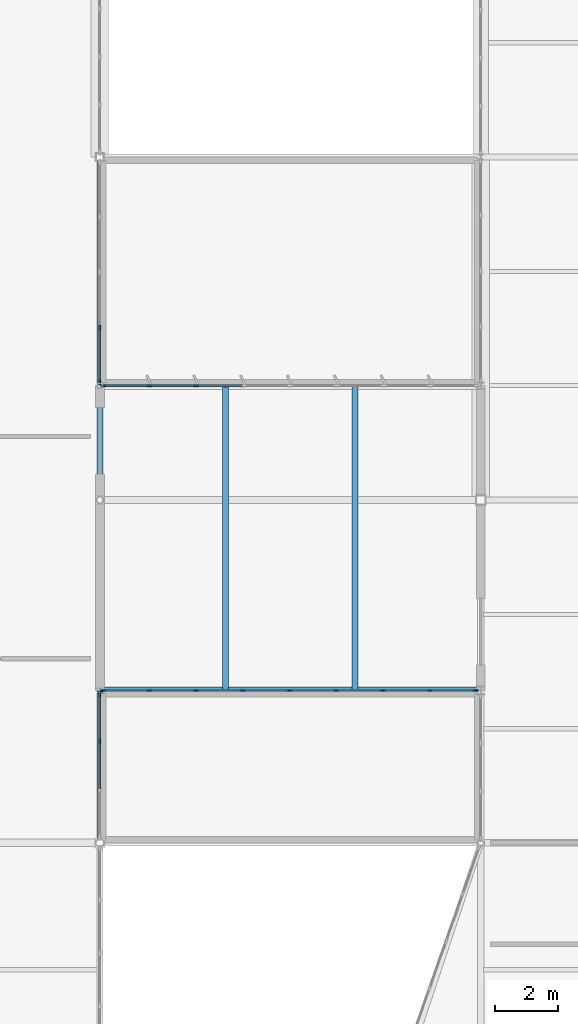
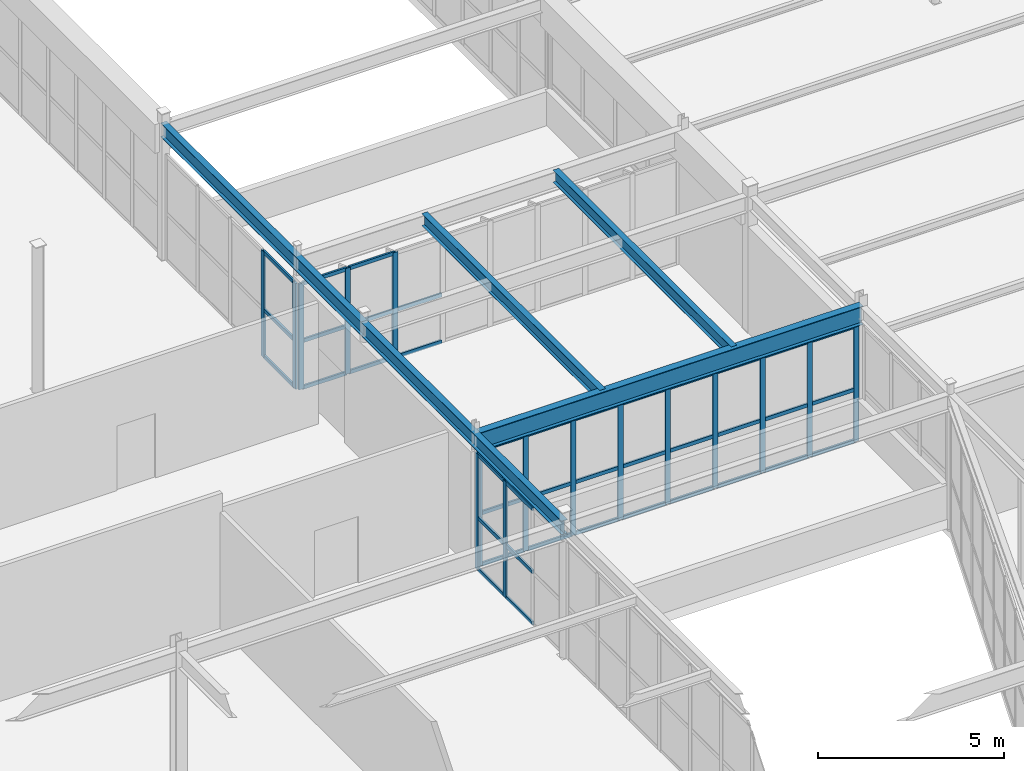
# One storey, part 125 of 226: 57 members, 5 beams, 4 elements without a shape of their own.
"""IFC4 building model written with IfcOpenShell, lengths in metres."""

from ifc_helpers import new_model, si_unit, direction, frame, origin, origin_2d, place, context, subcontext, project, spatial, rectangle, i_section, extrude, material, layer, layer_set, material_profile, profile_set, type_object, element, aggregate, save


model = new_model("IFC4")

# Units and contexts
model_context = context("Model", 3, precision=1e-05, world=origin(), true_north=direction((0.0, 1.0)))
body_context = subcontext(model_context, "Body", "Model", "MODEL_VIEW")
ifc_project = project(units=[si_unit("LENGTHUNIT", "METRE"), si_unit("AREAUNIT", "SQUARE_METRE"), si_unit("VOLUMEUNIT", "CUBIC_METRE"), si_unit("PLANEANGLEUNIT", "RADIAN"), si_unit("MASSUNIT", "GRAM", prefix="KILO")], contexts=[model_context])

# Site, building, storey
site_placement = place(None, origin())
site = spatial("IfcSite", under=ifc_project, at=site_placement, CompositionType="ELEMENT")
building_placement = place(site_placement, origin())
building = spatial("IfcBuilding", under=site, at=building_placement, Name="Tarnwether General Hospital", CompositionType="ELEMENT")
storey_placement = place(building_placement, frame((0.0, 0.0, 4.800048828125)))
storey = spatial("IfcBuildingStorey", under=building, at=storey_placement, Name="L01", CompositionType="ELEMENT", Elevation=4.800048828125)

# Beams
ifc_material_1 = material(Name="Steel Grade 350 (350 MPa)", Category="steel")
ifc_material_profile_1 = material_profile(ifc_material_1, i_section(OverallWidth=0.22900390625, OverallDepth=0.612060546875, WebThickness=0.011962890625, FlangeThickness=0.01953125, at=origin_2d()), Name="610UB125")
ifc_profile_set_1 = profile_set([ifc_material_profile_1], Name="Steel Grade 350 (350 MPa)")
beam_type_1 = type_object("IfcBeamType", Name="BM-G03", PredefinedType="BEAM", material=ifc_profile_set_1)
beam_1_placement = place(storey_placement, frame((132.0, 98.39990234375, 4.138916015625), z_axis=(1.0, 0.0, 0.0), x_axis=(0.0, 1.0, 0.0)))
element("IfcBeam", 1, at=beam_1_placement, inside=storey, type_object=beam_type_1, Name="Court Link Bridge Girder North BMG-L01-13200_9840-14400_9840-1866", PredefinedType="BEAM", context=body_context, shape_type="SweptSolid", body=[
    extrude(i_section(OverallWidth=0.22900390625, OverallDepth=0.612060546875, WebThickness=0.011962890625, FlangeThickness=0.01953125, at=origin_2d()), origin(), (0.0, 0.0, 1.0), 12.0),
])
ifc_material_2 = material(Name="Steel Grade 350 (350 MPa)", Category="steel")
ifc_material_profile_2 = material_profile(ifc_material_2, i_section(OverallWidth=0.18994140625, OverallDepth=0.45703125, WebThickness=0.009033203125, FlangeThickness=0.014404296875, at=origin_2d()), Name="460UB74.6")
ifc_profile_set_2 = profile_set([ifc_material_profile_2], Name="Steel Grade 350 (350 MPa)")
beam_type_2 = type_object("IfcBeamType", Name="BM-G09", PredefinedType="BEAM", material=ifc_profile_set_2)
beam_2_placement = place(storey_placement, frame((132.0, 93.60009765625, 4.216552734375), z_axis=(0.0, 1.0, 0.0), x_axis=(-1.0, 0.0, 0.0)))
element("IfcBeam", 2, at=beam_2_placement, inside=storey, type_object=beam_type_2, Name="Primary Girder BMG-L01-13200_9360-13200_10440-1204", PredefinedType="BEAM", context=body_context, shape_type="SweptSolid", body=[
    extrude(i_section(OverallWidth=0.18994140625, OverallDepth=0.45703125, WebThickness=0.009033203125, FlangeThickness=0.014404296875, at=origin_2d()), origin(), (0.0, 0.0, 1.0), 10.7998046875),
])
ifc_material_3 = material(Name="Steel Grade 350 (350 MPa)", Category="steel")
ifc_material_profile_3 = material_profile(ifc_material_3, i_section(OverallWidth=0.18994140625, OverallDepth=0.4541015625, WebThickness=0.008544921875, FlangeThickness=0.0126953125, at=origin_2d()), Name="460UB67.1")
ifc_profile_set_3 = profile_set([ifc_material_profile_3], Name="Steel Grade 350 (350 MPa)")
beam_type_3 = type_object("IfcBeamType", Name="BM-G10", PredefinedType="BEAM", material=ifc_profile_set_3)
beam_3_placement = place(storey_placement, frame((132.0, 104.39990234375, 4.218017578125), z_axis=(0.0, 1.0, 0.0), x_axis=(-1.0, 0.0, 0.0)))
element("IfcBeam", 3, at=beam_3_placement, inside=storey, type_object=beam_type_3, Name="Primary Girder BMG-L01-13200_10440-13200_11520-1206", PredefinedType="BEAM", context=body_context, shape_type="SweptSolid", body=[
    extrude(i_section(OverallWidth=0.18994140625, OverallDepth=0.4541015625, WebThickness=0.008544921875, FlangeThickness=0.0126953125, at=origin_2d()), origin(), (0.0, 0.0, 1.0), 10.800048828125),
])
ifc_material_4 = material(Name="Steel Grade 350 (350 MPa)", Category="steel")
ifc_material_profile_4 = material_profile(ifc_material_4, i_section(OverallWidth=0.177978515625, OverallDepth=0.403076171875, WebThickness=0.007568359375, FlangeThickness=0.010986328125, at=origin_2d()), Name="410UB53.7")
ifc_profile_set_4 = profile_set([ifc_material_profile_4], Name="Steel Grade 350 (350 MPa)")
beam_type_4 = type_object("IfcBeamType", Name="BM-J02", PredefinedType="JOIST", material=ifc_profile_set_4)
for number, where, z_axis, x_axis, name in (
    (4, (135.9599609375, 98.39990234375, 4.243408203125), (0.0, 1.0, 0.0), (-1.0, 0.0, 0.0), "Court Link Bridge Cross Beam North BMG-L01-13596_9840-13596_10800-1868"),
    (5, (140.0400390625, 98.39990234375, 4.243408203125), (0.0, 1.0, 0.0), (-1.0, 0.0, 0.0), "Court Link Bridge Cross Beam North BMG-L01-14004_9840-14004_10800-1869"),
):
    element("IfcBeam", number, at=place(storey_placement, frame(where, z_axis=z_axis, x_axis=x_axis)), inside=storey, type_object=beam_type_4, Name=name, PredefinedType="JOIST", context=body_context, shape_type="SweptSolid", body=[
        extrude(i_section(OverallWidth=0.177978515625, OverallDepth=0.403076171875, WebThickness=0.007568359375, FlangeThickness=0.010986328125, at=origin_2d()), origin(), (0.0, 0.0, 1.0), 9.60009765625),
    ])

# Curtain wall, members
ifc_material_5 = material(Name="Anodised aluminium", Category="aluminium")
ifc_layer_1 = layer(ifc_material_5, 0.159912109375)
ifc_layer_set_1 = layer_set([ifc_layer_1], Name="Anodised aluminium")
curtain_wall_type_1 = type_object("IfcCurtainWallType", Name="CW-15", PredefinedType="NOTDEFINED", material=ifc_layer_set_1)
curtain_wall_1_placement = place(storey_placement, origin())
curtain_wall_1 = element("IfcCurtainWall", 6, at=curtain_wall_1_placement, inside=storey, type_object=curtain_wall_type_1, Name="Curtain Wall CWG-L01-1320_983-0370", PredefinedType="NOTDEFINED")
ifc_material_6 = material(Name="Anodised aluminium", Category="aluminium")
ifc_material_profile_5 = material_profile(ifc_material_6, rectangle(XDim=0.06005859375, YDim=0.159912109375, at=origin_2d()), Name="ALU-MUL-60x160")
ifc_profile_set_5 = profile_set([ifc_material_profile_5], Name="Anodised aluminium")
member_type_1 = type_object("IfcMemberType", Name="CW-ML1", PredefinedType="MULLION", material=ifc_profile_set_5)
member_1_placement = place(storey_placement, frame((132.0, 98.285888671875, 0.0), z_axis=(0.0, 0.0, 1.0), x_axis=(1.0, 0.0, 0.0)))
member_1 = element("IfcMember", 7, at=member_1_placement, type_object=member_type_1, Name="CW-15 mullion 1", PredefinedType="MULLION", context=body_context, shape_type="SweptSolid", body=[
    extrude(rectangle(XDim=0.06005859375, YDim=0.159912109375, at=origin_2d()), origin(), (0.0, 0.0, 1.0), 3.81787109375),
])
member_2_placement = place(storey_placement, frame((132.0, 96.792236328125, 0.0), z_axis=(0.0, 0.0, 1.0), x_axis=(1.0, 0.0, 0.0)))
member_2 = element("IfcMember", 8, at=member_2_placement, type_object=member_type_1, Name="CW-15 mullion 2", PredefinedType="MULLION", context=body_context, shape_type="SweptSolid", body=[
    extrude(rectangle(XDim=0.06005859375, YDim=0.159912109375, at=origin_2d()), origin(), (0.0, 0.0, 1.0), 3.81787109375),
])

curtain_wall_2_placement = place(storey_placement, origin())
curtain_wall_2 = element("IfcCurtainWall", 9, at=curtain_wall_2_placement, inside=storey, type_object=curtain_wall_type_1, Name="Curtain Wall CWG-L01-1320_1151-0376", PredefinedType="NOTDEFINED")
member_3_placement = place(storey_placement, frame((132.0, 109.8291015625, 0.0), z_axis=(0.0, 0.0, 1.0), x_axis=(1.0, 0.0, 0.0)))
member_3 = element("IfcMember", 10, at=member_3_placement, type_object=member_type_1, Name="CW-15 mullion 4", PredefinedType="MULLION", context=body_context, shape_type="SweptSolid", body=[
    extrude(rectangle(XDim=0.06005859375, YDim=0.159912109375, at=origin_2d()), origin(), (0.0, 0.0, 1.0), 3.47998046875),
])
member_4_placement = place(storey_placement, frame((132.0, 108.113037109375, 0.0), z_axis=(0.0, 0.0, 1.0), x_axis=(1.0, 0.0, 0.0)))
member_4 = element("IfcMember", 11, at=member_4_placement, type_object=member_type_1, Name="CW-15 mullion 5", PredefinedType="MULLION", context=body_context, shape_type="SweptSolid", body=[
    extrude(rectangle(XDim=0.06005859375, YDim=0.159912109375, at=origin_2d()), origin(), (0.0, 0.0, 1.0), 3.47998046875),
])

ifc_material_7 = material(Name="Anodised aluminium", Category="aluminium")
ifc_layer_2 = layer(ifc_material_7, 0.159912109375)
ifc_layer_set_2 = layer_set([ifc_layer_2], Name="Anodised aluminium")
curtain_wall_type_2 = type_object("IfcCurtainWallType", Name="CW-21", PredefinedType="NOTDEFINED", material=ifc_layer_set_2)
curtain_wall_3_placement = place(storey_placement, origin())
curtain_wall_3 = element("IfcCurtainWall", 12, at=curtain_wall_3_placement, inside=storey, type_object=curtain_wall_type_2, Name="Curtain Wall CWG-L01-1321_1080-0401", PredefinedType="NOTDEFINED")
member_5_placement = place(storey_placement, frame((132.113037109375, 108.0, 0.0), z_axis=(0.0, 0.0, 1.0), x_axis=(0.0, 1.0, 0.0)))
member_5 = element("IfcMember", 13, at=member_5_placement, type_object=member_type_1, Name="CW-21 mullion 1", PredefinedType="MULLION", context=body_context, shape_type="SweptSolid", body=[
    extrude(rectangle(XDim=0.06005859375, YDim=0.159912109375, at=origin_2d()), origin(), (0.0, 0.0, 1.0), 3.47998046875),
])
member_6_placement = place(storey_placement, frame((133.558837890625, 108.0, 0.0), z_axis=(0.0, 0.0, 1.0), x_axis=(0.0, 1.0, 0.0)))
member_6 = element("IfcMember", 14, at=member_6_placement, type_object=member_type_1, Name="CW-21 mullion 2", PredefinedType="MULLION", context=body_context, shape_type="SweptSolid", body=[
    extrude(rectangle(XDim=0.06005859375, YDim=0.159912109375, at=origin_2d()), origin(), (0.0, 0.0, 1.0), 3.47998046875),
])
member_7_placement = place(storey_placement, frame((135.034423828125, 108.0, 0.0), z_axis=(0.0, 0.0, 1.0), x_axis=(0.0, 1.0, 0.0)))
member_7 = element("IfcMember", 15, at=member_7_placement, type_object=member_type_1, Name="CW-21 mullion 3", PredefinedType="MULLION", context=body_context, shape_type="SweptSolid", body=[
    extrude(rectangle(XDim=0.06005859375, YDim=0.159912109375, at=origin_2d()), origin(), (0.0, 0.0, 1.0), 3.47998046875),
])

ifc_material_8 = material(Name="Anodised aluminium", Category="aluminium")
ifc_layer_3 = layer(ifc_material_8, 0.159912109375)
ifc_layer_set_3 = layer_set([ifc_layer_3], Name="Anodised aluminium")
curtain_wall_type_3 = type_object("IfcCurtainWallType", Name="CW-22", PredefinedType="NOTDEFINED", material=ifc_layer_set_3)
curtain_wall_4_placement = place(storey_placement, origin())
curtain_wall_4 = element("IfcCurtainWall", 16, at=curtain_wall_4_placement, inside=storey, type_object=curtain_wall_type_3, Name="Curtain Wall CWG-L01-1439_984-0402", PredefinedType="NOTDEFINED")
member_8_placement = place(storey_placement, frame((143.8349609375, 98.39990234375, 0.0), z_axis=(0.0, 0.0, 1.0), x_axis=(0.0, -1.0, 0.0)))
member_8 = element("IfcMember", 17, at=member_8_placement, type_object=member_type_1, Name="CW-22 mullion 1", PredefinedType="MULLION", context=body_context, shape_type="SweptSolid", body=[
    extrude(rectangle(XDim=0.06005859375, YDim=0.159912109375, at=origin_2d()), origin(), (0.0, 0.0, 1.0), 3.81787109375),
])
member_9_placement = place(storey_placement, frame((142.392333984375, 98.39990234375, 0.0), z_axis=(0.0, 0.0, 1.0), x_axis=(0.0, -1.0, 0.0)))
member_9 = element("IfcMember", 18, at=member_9_placement, type_object=member_type_1, Name="CW-22 mullion 2", PredefinedType="MULLION", context=body_context, shape_type="SweptSolid", body=[
    extrude(rectangle(XDim=0.06005859375, YDim=0.159912109375, at=origin_2d()), origin(), (0.0, 0.0, 1.0), 3.81787109375),
])
member_10_placement = place(storey_placement, frame((140.919677734375, 98.39990234375, 0.0), z_axis=(0.0, 0.0, 1.0), x_axis=(0.0, -1.0, 0.0)))
member_10 = element("IfcMember", 19, at=member_10_placement, type_object=member_type_1, Name="CW-22 mullion 3", PredefinedType="MULLION", context=body_context, shape_type="SweptSolid", body=[
    extrude(rectangle(XDim=0.06005859375, YDim=0.159912109375, at=origin_2d()), origin(), (0.0, 0.0, 1.0), 3.81787109375),
])
member_11_placement = place(storey_placement, frame((139.447021484375, 98.39990234375, 0.0), z_axis=(0.0, 0.0, 1.0), x_axis=(0.0, -1.0, 0.0)))
member_11 = element("IfcMember", 20, at=member_11_placement, type_object=member_type_1, Name="CW-22 mullion 4", PredefinedType="MULLION", context=body_context, shape_type="SweptSolid", body=[
    extrude(rectangle(XDim=0.06005859375, YDim=0.159912109375, at=origin_2d()), origin(), (0.0, 0.0, 1.0), 3.81787109375),
])
member_12_placement = place(storey_placement, frame((137.974609375, 98.39990234375, 0.0), z_axis=(0.0, 0.0, 1.0), x_axis=(0.0, -1.0, 0.0)))
member_12 = element("IfcMember", 21, at=member_12_placement, type_object=member_type_1, Name="CW-22 mullion 5", PredefinedType="MULLION", context=body_context, shape_type="SweptSolid", body=[
    extrude(rectangle(XDim=0.06005859375, YDim=0.159912109375, at=origin_2d()), origin(), (0.0, 0.0, 1.0), 3.81787109375),
])
member_13_placement = place(storey_placement, frame((136.501953125, 98.39990234375, 0.0), z_axis=(0.0, 0.0, 1.0), x_axis=(0.0, -1.0, 0.0)))
member_13 = element("IfcMember", 22, at=member_13_placement, type_object=member_type_1, Name="CW-22 mullion 6", PredefinedType="MULLION", context=body_context, shape_type="SweptSolid", body=[
    extrude(rectangle(XDim=0.06005859375, YDim=0.159912109375, at=origin_2d()), origin(), (0.0, 0.0, 1.0), 3.81787109375),
])
member_14_placement = place(storey_placement, frame((135.029296875, 98.39990234375, 0.0), z_axis=(0.0, 0.0, 1.0), x_axis=(0.0, -1.0, 0.0)))
member_14 = element("IfcMember", 23, at=member_14_placement, type_object=member_type_1, Name="CW-22 mullion 7", PredefinedType="MULLION", context=body_context, shape_type="SweptSolid", body=[
    extrude(rectangle(XDim=0.06005859375, YDim=0.159912109375, at=origin_2d()), origin(), (0.0, 0.0, 1.0), 3.81787109375),
])
member_15_placement = place(storey_placement, frame((133.556640625, 98.39990234375, 0.0), z_axis=(0.0, 0.0, 1.0), x_axis=(0.0, -1.0, 0.0)))
member_15 = element("IfcMember", 24, at=member_15_placement, type_object=member_type_1, Name="CW-22 mullion 8", PredefinedType="MULLION", context=body_context, shape_type="SweptSolid", body=[
    extrude(rectangle(XDim=0.06005859375, YDim=0.159912109375, at=origin_2d()), origin(), (0.0, 0.0, 1.0), 3.81787109375),
])
member_16_placement = place(storey_placement, frame((132.114013671875, 98.39990234375, 0.0), z_axis=(0.0, 0.0, 1.0), x_axis=(0.0, -1.0, 0.0)))
member_16 = element("IfcMember", 25, at=member_16_placement, type_object=member_type_1, Name="CW-22 mullion 9", PredefinedType="MULLION", context=body_context, shape_type="SweptSolid", body=[
    extrude(rectangle(XDim=0.06005859375, YDim=0.159912109375, at=origin_2d()), origin(), (0.0, 0.0, 1.0), 3.81787109375),
])

# Member
ifc_material_9 = material(Name="Anodised aluminium", Category="aluminium")
ifc_material_profile_6 = material_profile(ifc_material_9, rectangle(XDim=0.06005859375, YDim=0.1201171875, at=origin_2d()), Name="ALU-TRN-60x120")
ifc_profile_set_6 = profile_set([ifc_material_profile_6], Name="Anodised aluminium")
member_type_2 = type_object("IfcMemberType", Name="CW-TR1", PredefinedType="USERDEFINED", material=ifc_profile_set_6)
member_17_placement = place(storey_placement, frame((132.0, 98.256103515625, 0.030029296875), z_axis=(0.0, -1.0, 0.0), x_axis=(1.0, 0.0, 0.0)))
member_17 = element("IfcMember", 26, at=member_17_placement, type_object=member_type_2, Name="CW-15 transom 1.1", ObjectType="TRANSOM", PredefinedType="USERDEFINED", context=body_context, shape_type="SweptSolid", body=[
    extrude(rectangle(XDim=0.06005859375, YDim=0.1201171875, at=origin_2d()), origin(), (0.0, 0.0, 1.0), 1.433837890625),
])

member_18_placement = place(storey_placement, frame((132.0, 98.256103515625, 1.718017578125), z_axis=(0.0, -1.0, 0.0), x_axis=(1.0, 0.0, 0.0)))
member_18 = element("IfcMember", 27, at=member_18_placement, type_object=member_type_2, Name="CW-15 transom 1.2", ObjectType="TRANSOM", PredefinedType="USERDEFINED", context=body_context, shape_type="SweptSolid", body=[
    extrude(rectangle(XDim=0.06005859375, YDim=0.1201171875, at=origin_2d()), origin(), (0.0, 0.0, 1.0), 1.433837890625),
])

member_19_placement = place(storey_placement, frame((132.0, 98.256103515625, 3.787841796875), z_axis=(0.0, -1.0, 0.0), x_axis=(1.0, 0.0, 0.0)))
member_19 = element("IfcMember", 28, at=member_19_placement, type_object=member_type_2, Name="CW-15 transom 1.3", ObjectType="TRANSOM", PredefinedType="USERDEFINED", context=body_context, shape_type="SweptSolid", body=[
    extrude(rectangle(XDim=0.06005859375, YDim=0.1201171875, at=origin_2d()), origin(), (0.0, 0.0, 1.0), 1.433837890625),
])

member_20_placement = place(storey_placement, frame((132.0, 96.762451171875, 0.030029296875), z_axis=(0.0, -1.0, 0.0), x_axis=(1.0, 0.0, 0.0)))
member_20 = element("IfcMember", 29, at=member_20_placement, type_object=member_type_2, Name="CW-15 transom 2.1", ObjectType="TRANSOM", PredefinedType="USERDEFINED", context=body_context, shape_type="SweptSolid", body=[
    extrude(rectangle(XDim=0.06005859375, YDim=0.1201171875, at=origin_2d()), origin(), (0.0, 0.0, 1.0), 1.4638671875),
])

member_21_placement = place(storey_placement, frame((132.0, 96.762451171875, 1.718017578125), z_axis=(0.0, -1.0, 0.0), x_axis=(1.0, 0.0, 0.0)))
member_21 = element("IfcMember", 30, at=member_21_placement, type_object=member_type_2, Name="CW-15 transom 2.2", ObjectType="TRANSOM", PredefinedType="USERDEFINED", context=body_context, shape_type="SweptSolid", body=[
    extrude(rectangle(XDim=0.06005859375, YDim=0.1201171875, at=origin_2d()), origin(), (0.0, 0.0, 1.0), 1.4638671875),
])

member_22_placement = place(storey_placement, frame((132.0, 96.762451171875, 3.787841796875), z_axis=(0.0, -1.0, 0.0), x_axis=(1.0, 0.0, 0.0)))
member_22 = element("IfcMember", 31, at=member_22_placement, type_object=member_type_2, Name="CW-15 transom 2.3", ObjectType="TRANSOM", PredefinedType="USERDEFINED", context=body_context, shape_type="SweptSolid", body=[
    extrude(rectangle(XDim=0.06005859375, YDim=0.1201171875, at=origin_2d()), origin(), (0.0, 0.0, 1.0), 1.4638671875),
])

aggregate(curtain_wall_1, [member_1, member_2, member_17, member_18, member_19, member_20, member_21, member_22])

member_23_placement = place(storey_placement, frame((132.0, 109.799072265625, 0.030029296875), z_axis=(0.0, -1.0, 0.0), x_axis=(1.0, 0.0, 0.0)))
member_23 = element("IfcMember", 32, at=member_23_placement, type_object=member_type_2, Name="CW-15 transom 4.1", ObjectType="TRANSOM", PredefinedType="USERDEFINED", context=body_context, shape_type="SweptSolid", body=[
    extrude(rectangle(XDim=0.06005859375, YDim=0.1201171875, at=origin_2d()), origin(), (0.0, 0.0, 1.0), 1.656005859375),
])

member_24_placement = place(storey_placement, frame((132.0, 109.799072265625, 1.56591796875), z_axis=(0.0, -1.0, 0.0), x_axis=(1.0, 0.0, 0.0)))
member_24 = element("IfcMember", 33, at=member_24_placement, type_object=member_type_2, Name="CW-15 transom 4.2", ObjectType="TRANSOM", PredefinedType="USERDEFINED", context=body_context, shape_type="SweptSolid", body=[
    extrude(rectangle(XDim=0.06005859375, YDim=0.1201171875, at=origin_2d()), origin(), (0.0, 0.0, 1.0), 1.656005859375),
])

member_25_placement = place(storey_placement, frame((132.0, 109.799072265625, 3.449951171875), z_axis=(0.0, -1.0, 0.0), x_axis=(1.0, 0.0, 0.0)))
member_25 = element("IfcMember", 34, at=member_25_placement, type_object=member_type_2, Name="CW-15 transom 4.3", ObjectType="TRANSOM", PredefinedType="USERDEFINED", context=body_context, shape_type="SweptSolid", body=[
    extrude(rectangle(XDim=0.06005859375, YDim=0.1201171875, at=origin_2d()), origin(), (0.0, 0.0, 1.0), 1.656005859375),
])

aggregate(curtain_wall_2, [member_3, member_4, member_23, member_24, member_25])

member_26_placement = place(storey_placement, frame((132.14306640625, 108.0, 0.030029296875), z_axis=(1.0, 0.0, 0.0), x_axis=(0.0, 1.0, 0.0)))
member_26 = element("IfcMember", 35, at=member_26_placement, type_object=member_type_2, Name="CW-21 transom 1.1", ObjectType="TRANSOM", PredefinedType="USERDEFINED", context=body_context, shape_type="SweptSolid", body=[
    extrude(rectangle(XDim=0.06005859375, YDim=0.1201171875, at=origin_2d()), origin(), (0.0, 0.0, 1.0), 1.3857421875),
])

member_27_placement = place(storey_placement, frame((132.14306640625, 108.0, 1.56591796875), z_axis=(1.0, 0.0, 0.0), x_axis=(0.0, 1.0, 0.0)))
member_27 = element("IfcMember", 36, at=member_27_placement, type_object=member_type_2, Name="CW-21 transom 1.2", ObjectType="TRANSOM", PredefinedType="USERDEFINED", context=body_context, shape_type="SweptSolid", body=[
    extrude(rectangle(XDim=0.06005859375, YDim=0.1201171875, at=origin_2d()), origin(), (0.0, 0.0, 1.0), 1.3857421875),
])

member_28_placement = place(storey_placement, frame((132.14306640625, 108.0, 3.449951171875), z_axis=(1.0, 0.0, 0.0), x_axis=(0.0, 1.0, 0.0)))
member_28 = element("IfcMember", 37, at=member_28_placement, type_object=member_type_2, Name="CW-21 transom 1.3", ObjectType="TRANSOM", PredefinedType="USERDEFINED", context=body_context, shape_type="SweptSolid", body=[
    extrude(rectangle(XDim=0.06005859375, YDim=0.1201171875, at=origin_2d()), origin(), (0.0, 0.0, 1.0), 1.3857421875),
])

member_29_placement = place(storey_placement, frame((133.5888671875, 108.0, 0.030029296875), z_axis=(1.0, 0.0, 0.0), x_axis=(0.0, 1.0, 0.0)))
member_29 = element("IfcMember", 38, at=member_29_placement, type_object=member_type_2, Name="CW-21 transom 2.1", ObjectType="TRANSOM", PredefinedType="USERDEFINED", context=body_context, shape_type="SweptSolid", body=[
    extrude(rectangle(XDim=0.06005859375, YDim=0.1201171875, at=origin_2d()), origin(), (0.0, 0.0, 1.0), 1.41552734375),
])

member_30_placement = place(storey_placement, frame((133.5888671875, 108.0, 1.56591796875), z_axis=(1.0, 0.0, 0.0), x_axis=(0.0, 1.0, 0.0)))
member_30 = element("IfcMember", 39, at=member_30_placement, type_object=member_type_2, Name="CW-21 transom 2.2", ObjectType="TRANSOM", PredefinedType="USERDEFINED", context=body_context, shape_type="SweptSolid", body=[
    extrude(rectangle(XDim=0.06005859375, YDim=0.1201171875, at=origin_2d()), origin(), (0.0, 0.0, 1.0), 1.41552734375),
])

member_31_placement = place(storey_placement, frame((133.5888671875, 108.0, 3.449951171875), z_axis=(1.0, 0.0, 0.0), x_axis=(0.0, 1.0, 0.0)))
member_31 = element("IfcMember", 40, at=member_31_placement, type_object=member_type_2, Name="CW-21 transom 2.3", ObjectType="TRANSOM", PredefinedType="USERDEFINED", context=body_context, shape_type="SweptSolid", body=[
    extrude(rectangle(XDim=0.06005859375, YDim=0.1201171875, at=origin_2d()), origin(), (0.0, 0.0, 1.0), 1.41552734375),
])

member_32_placement = place(storey_placement, frame((135.064453125, 108.0, 0.030029296875), z_axis=(1.0, 0.0, 0.0), x_axis=(0.0, 1.0, 0.0)))
member_32 = element("IfcMember", 41, at=member_32_placement, type_object=member_type_2, Name="CW-21 transom 3.1", ObjectType="TRANSOM", PredefinedType="USERDEFINED", context=body_context, shape_type="SweptSolid", body=[
    extrude(rectangle(XDim=0.06005859375, YDim=0.1201171875, at=origin_2d()), origin(), (0.0, 0.0, 1.0), 1.415771484375),
])

member_33_placement = place(storey_placement, frame((135.064453125, 108.0, 1.56591796875), z_axis=(1.0, 0.0, 0.0), x_axis=(0.0, 1.0, 0.0)))
member_33 = element("IfcMember", 42, at=member_33_placement, type_object=member_type_2, Name="CW-21 transom 3.2", ObjectType="TRANSOM", PredefinedType="USERDEFINED", context=body_context, shape_type="SweptSolid", body=[
    extrude(rectangle(XDim=0.06005859375, YDim=0.1201171875, at=origin_2d()), origin(), (0.0, 0.0, 1.0), 1.415771484375),
])

aggregate(curtain_wall_3, [member_5, member_6, member_7, member_26, member_27, member_28, member_29, member_30, member_31, member_32, member_33])

member_34_placement = place(storey_placement, frame((143.804931640625, 98.39990234375, 0.030029296875), z_axis=(-1.0, 0.0, 0.0), x_axis=(0.0, -1.0, 0.0)))
member_34 = element("IfcMember", 43, at=member_34_placement, type_object=member_type_2, Name="CW-22 transom 1.1", ObjectType="TRANSOM", PredefinedType="USERDEFINED", context=body_context, shape_type="SweptSolid", body=[
    extrude(rectangle(XDim=0.06005859375, YDim=0.1201171875, at=origin_2d()), origin(), (0.0, 0.0, 1.0), 1.382568359375),
])

member_35_placement = place(storey_placement, frame((143.804931640625, 98.39990234375, 1.718017578125), z_axis=(-1.0, 0.0, 0.0), x_axis=(0.0, -1.0, 0.0)))
member_35 = element("IfcMember", 44, at=member_35_placement, type_object=member_type_2, Name="CW-22 transom 1.2", ObjectType="TRANSOM", PredefinedType="USERDEFINED", context=body_context, shape_type="SweptSolid", body=[
    extrude(rectangle(XDim=0.06005859375, YDim=0.1201171875, at=origin_2d()), origin(), (0.0, 0.0, 1.0), 1.382568359375),
])

member_36_placement = place(storey_placement, frame((143.804931640625, 98.39990234375, 3.787841796875), z_axis=(-1.0, 0.0, 0.0), x_axis=(0.0, -1.0, 0.0)))
member_36 = element("IfcMember", 45, at=member_36_placement, type_object=member_type_2, Name="CW-22 transom 1.3", ObjectType="TRANSOM", PredefinedType="USERDEFINED", context=body_context, shape_type="SweptSolid", body=[
    extrude(rectangle(XDim=0.06005859375, YDim=0.1201171875, at=origin_2d()), origin(), (0.0, 0.0, 1.0), 1.382568359375),
])

member_37_placement = place(storey_placement, frame((142.3623046875, 98.39990234375, 0.030029296875), z_axis=(-1.0, 0.0, 0.0), x_axis=(0.0, -1.0, 0.0)))
member_37 = element("IfcMember", 46, at=member_37_placement, type_object=member_type_2, Name="CW-22 transom 2.1", ObjectType="TRANSOM", PredefinedType="USERDEFINED", context=body_context, shape_type="SweptSolid", body=[
    extrude(rectangle(XDim=0.06005859375, YDim=0.1201171875, at=origin_2d()), origin(), (0.0, 0.0, 1.0), 1.41259765625),
])

member_38_placement = place(storey_placement, frame((142.3623046875, 98.39990234375, 1.718017578125), z_axis=(-1.0, 0.0, 0.0), x_axis=(0.0, -1.0, 0.0)))
member_38 = element("IfcMember", 47, at=member_38_placement, type_object=member_type_2, Name="CW-22 transom 2.2", ObjectType="TRANSOM", PredefinedType="USERDEFINED", context=body_context, shape_type="SweptSolid", body=[
    extrude(rectangle(XDim=0.06005859375, YDim=0.1201171875, at=origin_2d()), origin(), (0.0, 0.0, 1.0), 1.41259765625),
])

member_39_placement = place(storey_placement, frame((142.3623046875, 98.39990234375, 3.787841796875), z_axis=(-1.0, 0.0, 0.0), x_axis=(0.0, -1.0, 0.0)))
member_39 = element("IfcMember", 48, at=member_39_placement, type_object=member_type_2, Name="CW-22 transom 2.3", ObjectType="TRANSOM", PredefinedType="USERDEFINED", context=body_context, shape_type="SweptSolid", body=[
    extrude(rectangle(XDim=0.06005859375, YDim=0.1201171875, at=origin_2d()), origin(), (0.0, 0.0, 1.0), 1.41259765625),
])

member_40_placement = place(storey_placement, frame((140.8896484375, 98.39990234375, 0.030029296875), z_axis=(-1.0, 0.0, 0.0), x_axis=(0.0, -1.0, 0.0)))
member_40 = element("IfcMember", 49, at=member_40_placement, type_object=member_type_2, Name="CW-22 transom 3.1", ObjectType="TRANSOM", PredefinedType="USERDEFINED", context=body_context, shape_type="SweptSolid", body=[
    extrude(rectangle(XDim=0.06005859375, YDim=0.1201171875, at=origin_2d()), origin(), (0.0, 0.0, 1.0), 1.41259765625),
])

member_41_placement = place(storey_placement, frame((140.8896484375, 98.39990234375, 1.718017578125), z_axis=(-1.0, 0.0, 0.0), x_axis=(0.0, -1.0, 0.0)))
member_41 = element("IfcMember", 50, at=member_41_placement, type_object=member_type_2, Name="CW-22 transom 3.2", ObjectType="TRANSOM", PredefinedType="USERDEFINED", context=body_context, shape_type="SweptSolid", body=[
    extrude(rectangle(XDim=0.06005859375, YDim=0.1201171875, at=origin_2d()), origin(), (0.0, 0.0, 1.0), 1.41259765625),
])

member_42_placement = place(storey_placement, frame((140.8896484375, 98.39990234375, 3.787841796875), z_axis=(-1.0, 0.0, 0.0), x_axis=(0.0, -1.0, 0.0)))
member_42 = element("IfcMember", 51, at=member_42_placement, type_object=member_type_2, Name="CW-22 transom 3.3", ObjectType="TRANSOM", PredefinedType="USERDEFINED", context=body_context, shape_type="SweptSolid", body=[
    extrude(rectangle(XDim=0.06005859375, YDim=0.1201171875, at=origin_2d()), origin(), (0.0, 0.0, 1.0), 1.41259765625),
])

member_43_placement = place(storey_placement, frame((139.417236328125, 98.39990234375, 0.030029296875), z_axis=(-1.0, 0.0, 0.0), x_axis=(0.0, -1.0, 0.0)))
member_43 = element("IfcMember", 52, at=member_43_placement, type_object=member_type_2, Name="CW-22 transom 4.1", ObjectType="TRANSOM", PredefinedType="USERDEFINED", context=body_context, shape_type="SweptSolid", body=[
    extrude(rectangle(XDim=0.06005859375, YDim=0.1201171875, at=origin_2d()), origin(), (0.0, 0.0, 1.0), 1.412841796875),
])

member_44_placement = place(storey_placement, frame((139.417236328125, 98.39990234375, 1.718017578125), z_axis=(-1.0, 0.0, 0.0), x_axis=(0.0, -1.0, 0.0)))
member_44 = element("IfcMember", 53, at=member_44_placement, type_object=member_type_2, Name="CW-22 transom 4.2", ObjectType="TRANSOM", PredefinedType="USERDEFINED", context=body_context, shape_type="SweptSolid", body=[
    extrude(rectangle(XDim=0.06005859375, YDim=0.1201171875, at=origin_2d()), origin(), (0.0, 0.0, 1.0), 1.412841796875),
])

member_45_placement = place(storey_placement, frame((139.417236328125, 98.39990234375, 3.787841796875), z_axis=(-1.0, 0.0, 0.0), x_axis=(0.0, -1.0, 0.0)))
member_45 = element("IfcMember", 54, at=member_45_placement, type_object=member_type_2, Name="CW-22 transom 4.3", ObjectType="TRANSOM", PredefinedType="USERDEFINED", context=body_context, shape_type="SweptSolid", body=[
    extrude(rectangle(XDim=0.06005859375, YDim=0.1201171875, at=origin_2d()), origin(), (0.0, 0.0, 1.0), 1.412841796875),
])

member_46_placement = place(storey_placement, frame((137.944580078125, 98.39990234375, 0.030029296875), z_axis=(-1.0, 0.0, 0.0), x_axis=(0.0, -1.0, 0.0)))
member_46 = element("IfcMember", 55, at=member_46_placement, type_object=member_type_2, Name="CW-22 transom 5.1", ObjectType="TRANSOM", PredefinedType="USERDEFINED", context=body_context, shape_type="SweptSolid", body=[
    extrude(rectangle(XDim=0.06005859375, YDim=0.1201171875, at=origin_2d()), origin(), (0.0, 0.0, 1.0), 1.41259765625),
])

member_47_placement = place(storey_placement, frame((137.944580078125, 98.39990234375, 1.718017578125), z_axis=(-1.0, 0.0, 0.0), x_axis=(0.0, -1.0, 0.0)))
member_47 = element("IfcMember", 56, at=member_47_placement, type_object=member_type_2, Name="CW-22 transom 5.2", ObjectType="TRANSOM", PredefinedType="USERDEFINED", context=body_context, shape_type="SweptSolid", body=[
    extrude(rectangle(XDim=0.06005859375, YDim=0.1201171875, at=origin_2d()), origin(), (0.0, 0.0, 1.0), 1.41259765625),
])

member_48_placement = place(storey_placement, frame((137.944580078125, 98.39990234375, 3.787841796875), z_axis=(-1.0, 0.0, 0.0), x_axis=(0.0, -1.0, 0.0)))
member_48 = element("IfcMember", 57, at=member_48_placement, type_object=member_type_2, Name="CW-22 transom 5.3", ObjectType="TRANSOM", PredefinedType="USERDEFINED", context=body_context, shape_type="SweptSolid", body=[
    extrude(rectangle(XDim=0.06005859375, YDim=0.1201171875, at=origin_2d()), origin(), (0.0, 0.0, 1.0), 1.41259765625),
])

member_49_placement = place(storey_placement, frame((136.471923828125, 98.39990234375, 0.030029296875), z_axis=(-1.0, 0.0, 0.0), x_axis=(0.0, -1.0, 0.0)))
member_49 = element("IfcMember", 58, at=member_49_placement, type_object=member_type_2, Name="CW-22 transom 6.1", ObjectType="TRANSOM", PredefinedType="USERDEFINED", context=body_context, shape_type="SweptSolid", body=[
    extrude(rectangle(XDim=0.06005859375, YDim=0.1201171875, at=origin_2d()), origin(), (0.0, 0.0, 1.0), 1.41259765625),
])

member_50_placement = place(storey_placement, frame((136.471923828125, 98.39990234375, 1.718017578125), z_axis=(-1.0, 0.0, 0.0), x_axis=(0.0, -1.0, 0.0)))
member_50 = element("IfcMember", 59, at=member_50_placement, type_object=member_type_2, Name="CW-22 transom 6.2", ObjectType="TRANSOM", PredefinedType="USERDEFINED", context=body_context, shape_type="SweptSolid", body=[
    extrude(rectangle(XDim=0.06005859375, YDim=0.1201171875, at=origin_2d()), origin(), (0.0, 0.0, 1.0), 1.41259765625),
])

member_51_placement = place(storey_placement, frame((136.471923828125, 98.39990234375, 3.787841796875), z_axis=(-1.0, 0.0, 0.0), x_axis=(0.0, -1.0, 0.0)))
member_51 = element("IfcMember", 60, at=member_51_placement, type_object=member_type_2, Name="CW-22 transom 6.3", ObjectType="TRANSOM", PredefinedType="USERDEFINED", context=body_context, shape_type="SweptSolid", body=[
    extrude(rectangle(XDim=0.06005859375, YDim=0.1201171875, at=origin_2d()), origin(), (0.0, 0.0, 1.0), 1.41259765625),
])

member_52_placement = place(storey_placement, frame((134.999267578125, 98.39990234375, 0.030029296875), z_axis=(-1.0, 0.0, 0.0), x_axis=(0.0, -1.0, 0.0)))
member_52 = element("IfcMember", 61, at=member_52_placement, type_object=member_type_2, Name="CW-22 transom 7.1", ObjectType="TRANSOM", PredefinedType="USERDEFINED", context=body_context, shape_type="SweptSolid", body=[
    extrude(rectangle(XDim=0.06005859375, YDim=0.1201171875, at=origin_2d()), origin(), (0.0, 0.0, 1.0), 1.41259765625),
])

member_53_placement = place(storey_placement, frame((134.999267578125, 98.39990234375, 1.718017578125), z_axis=(-1.0, 0.0, 0.0), x_axis=(0.0, -1.0, 0.0)))
member_53 = element("IfcMember", 62, at=member_53_placement, type_object=member_type_2, Name="CW-22 transom 7.2", ObjectType="TRANSOM", PredefinedType="USERDEFINED", context=body_context, shape_type="SweptSolid", body=[
    extrude(rectangle(XDim=0.06005859375, YDim=0.1201171875, at=origin_2d()), origin(), (0.0, 0.0, 1.0), 1.41259765625),
])

member_54_placement = place(storey_placement, frame((134.999267578125, 98.39990234375, 3.787841796875), z_axis=(-1.0, 0.0, 0.0), x_axis=(0.0, -1.0, 0.0)))
member_54 = element("IfcMember", 63, at=member_54_placement, type_object=member_type_2, Name="CW-22 transom 7.3", ObjectType="TRANSOM", PredefinedType="USERDEFINED", context=body_context, shape_type="SweptSolid", body=[
    extrude(rectangle(XDim=0.06005859375, YDim=0.1201171875, at=origin_2d()), origin(), (0.0, 0.0, 1.0), 1.41259765625),
])

member_55_placement = place(storey_placement, frame((133.526611328125, 98.39990234375, 0.030029296875), z_axis=(-1.0, 0.0, 0.0), x_axis=(0.0, -1.0, 0.0)))
member_55 = element("IfcMember", 64, at=member_55_placement, type_object=member_type_2, Name="CW-22 transom 8.1", ObjectType="TRANSOM", PredefinedType="USERDEFINED", context=body_context, shape_type="SweptSolid", body=[
    extrude(rectangle(XDim=0.06005859375, YDim=0.1201171875, at=origin_2d()), origin(), (0.0, 0.0, 1.0), 1.382568359375),
])

member_56_placement = place(storey_placement, frame((133.526611328125, 98.39990234375, 1.718017578125), z_axis=(-1.0, 0.0, 0.0), x_axis=(0.0, -1.0, 0.0)))
member_56 = element("IfcMember", 65, at=member_56_placement, type_object=member_type_2, Name="CW-22 transom 8.2", ObjectType="TRANSOM", PredefinedType="USERDEFINED", context=body_context, shape_type="SweptSolid", body=[
    extrude(rectangle(XDim=0.06005859375, YDim=0.1201171875, at=origin_2d()), origin(), (0.0, 0.0, 1.0), 1.382568359375),
])

member_57_placement = place(storey_placement, frame((133.526611328125, 98.39990234375, 3.787841796875), z_axis=(-1.0, 0.0, 0.0), x_axis=(0.0, -1.0, 0.0)))
member_57 = element("IfcMember", 66, at=member_57_placement, type_object=member_type_2, Name="CW-22 transom 8.3", ObjectType="TRANSOM", PredefinedType="USERDEFINED", context=body_context, shape_type="SweptSolid", body=[
    extrude(rectangle(XDim=0.06005859375, YDim=0.1201171875, at=origin_2d()), origin(), (0.0, 0.0, 1.0), 1.382568359375),
])

aggregate(curtain_wall_4, [member_8, member_9, member_10, member_11, member_12, member_13, member_14, member_15, member_16, member_34, member_35, member_36, member_37, member_38, member_39, member_40, member_41, member_42, member_43, member_44, member_45, member_46, member_47, member_48, member_49, member_50, member_51, member_52, member_53, member_54, member_55, member_56, member_57])

save(model, "model.ifc")
